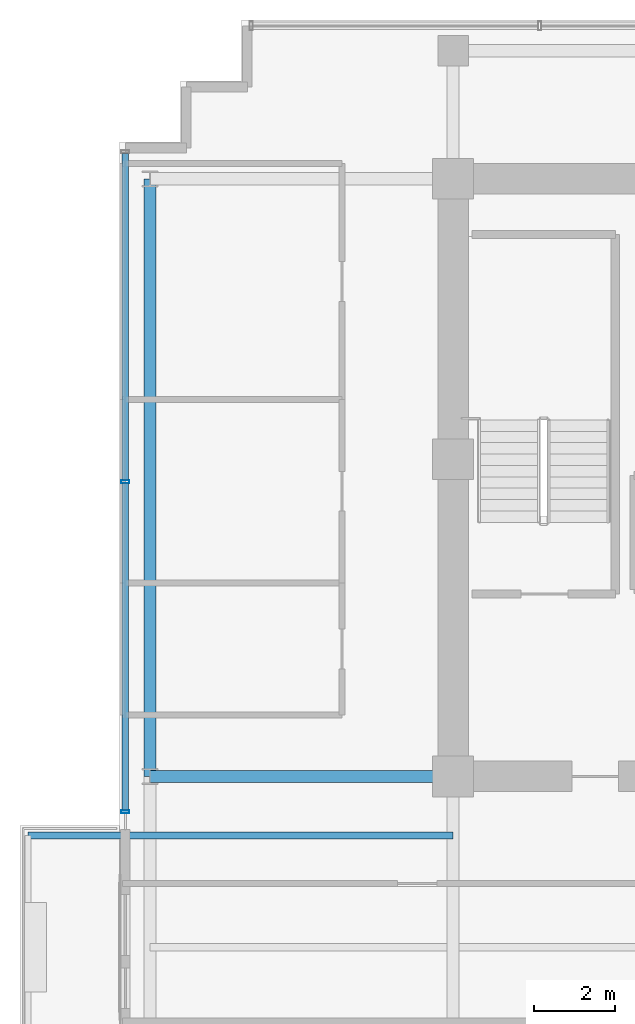
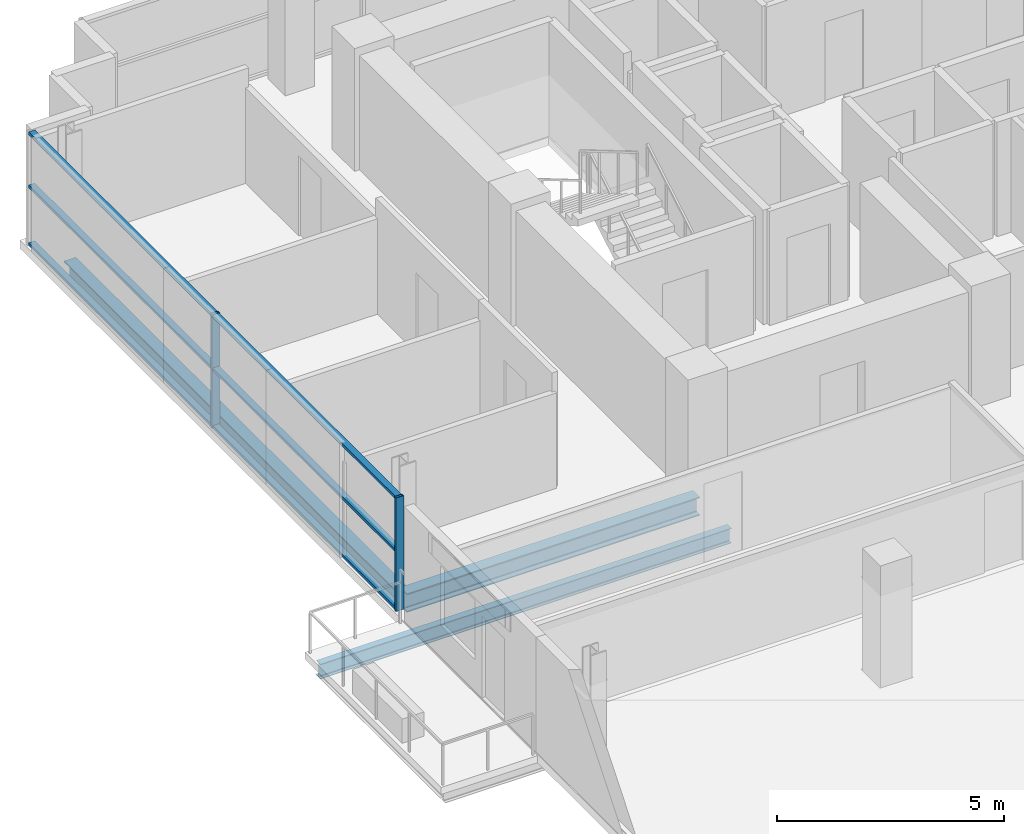
# One storey, part 5 of 22: 8 members, 3 beams, 1 element without a shape of its own.
"""IFC4 building model written with IfcOpenShell, lengths in metres."""

from ifc_helpers import new_model, si_unit, direction, frame, origin, origin_2d, place, context, subcontext, project, spatial, hollow_rectangle, i_section, extrude, source, transform, mapped, material, layer, layer_set, material_profile, profile_set, type_object, element, aggregate, save


model = new_model("IFC4")

# Units and contexts
model_context = context("Model", 3, precision=1e-05, world=origin(), true_north=direction((0.0, 1.0)))
body_context = subcontext(model_context, "Body", "Model", "MODEL_VIEW")
ifc_project = project(units=[si_unit("LENGTHUNIT", "METRE"), si_unit("AREAUNIT", "SQUARE_METRE"), si_unit("VOLUMEUNIT", "CUBIC_METRE"), si_unit("PLANEANGLEUNIT", "RADIAN"), si_unit("MASSUNIT", "GRAM", prefix="KILO")], contexts=[model_context])

# Site, building, storey
site_placement = place(None, origin())
site = spatial("IfcSite", under=ifc_project, at=site_placement, CompositionType="ELEMENT")
building_placement = place(site_placement, origin())
building = spatial("IfcBuilding", under=site, at=building_placement, Name="Zarnakvel Exchange Tower", CompositionType="ELEMENT")
storey_placement = place(building_placement, frame((0.0, 0.0, 192.39990234375)))
storey = spatial("IfcBuildingStorey", under=building, at=storey_placement, Name="L54", CompositionType="ELEMENT", Elevation=192.39990234375)

# Beams
ifc_material_1 = material(Name="Steel S355", Category="steel")
ifc_material_profile_1 = material_profile(ifc_material_1, i_section(OverallWidth=0.179931640625, OverallDepth=0.39990234375, WebThickness=0.008544921875, FlangeThickness=0.013427734375, FilletRadius=0.02099609375, at=origin_2d()))
ifc_profile_set_1 = profile_set([ifc_material_profile_1], Name="Steel S355")
beam_type_1 = type_object("IfcBeamType", Name="B-06", PredefinedType="JOIST", material=ifc_profile_set_1)
beam_1_placement = place(storey_placement, frame((-14.39990234375, -2.64990234375, -0.4248046875), z_axis=(-1.0, 0.0, 0.0), x_axis=(0.0, -1.0, 0.0)))
element("IfcBeam", 1, at=beam_1_placement, inside=storey, type_object=beam_type_1, Name="L54 Continuous West Loggia Beam N", PredefinedType="JOIST", context=body_context, shape_type="SweptSolid", body=[
    extrude(i_section(OverallWidth=0.179931640625, OverallDepth=0.39990234375, WebThickness=0.008544921875, FlangeThickness=0.013427734375, FilletRadius=0.02099609375, at=origin_2d()), origin(), (0.0, 0.0, 1.0), 10.4501953125),
])
ifc_material_profile_2 = material_profile(ifc_material_1, i_section(OverallWidth=0.300048828125, OverallDepth=0.5, WebThickness=0.014404296875, FlangeThickness=0.028076171875, FilletRadius=0.027099609375, at=origin_2d()))
ifc_profile_set_2 = profile_set([ifc_material_profile_2], Name="Steel S355")
beam_type_2 = type_object("IfcBeamType", Name="G-06", PredefinedType="BEAM", material=ifc_profile_set_2)
beam_2_placement = place(storey_placement, frame((-21.85009765625, -1.199951171875, -0.474853515625), z_axis=(1.0, 0.0, 0.0), x_axis=(0.0, 1.0, 0.0)))
element("IfcBeam", 2, at=beam_2_placement, inside=storey, type_object=beam_type_2, Name="L54 Tower E-W Frame Beam", PredefinedType="BEAM", context=body_context, shape_type="SweptSolid", body=[
    extrude(i_section(OverallWidth=0.300048828125, OverallDepth=0.5, WebThickness=0.014404296875, FlangeThickness=0.028076171875, FilletRadius=0.027099609375, at=origin_2d()), origin(), (0.0, 0.0, 1.0), 7.4501953125),
])
ifc_material_profile_3 = material_profile(ifc_material_1, i_section(OverallWidth=0.300048828125, OverallDepth=0.5, WebThickness=0.014404296875, FlangeThickness=0.028076171875, FilletRadius=0.027099609375, at=origin_2d()))
ifc_profile_set_3 = profile_set([ifc_material_profile_3], Name="Steel S355")
beam_type_3 = type_object("IfcBeamType", Name="SP-02", PredefinedType="SPANDREL", material=ifc_profile_set_3)
beam_3_placement = place(storey_placement, frame((-21.85009765625, -1.199951171875, -0.474853515625), z_axis=(0.0, 1.0, 0.0), x_axis=(-1.0, 0.0, 0.0)))
element("IfcBeam", 3, at=beam_3_placement, inside=storey, type_object=beam_type_3, Name="L54 Tower N-S Frame Beam", PredefinedType="SPANDREL", context=body_context, shape_type="SweptSolid", body=[
    extrude(i_section(OverallWidth=0.300048828125, OverallDepth=0.5, WebThickness=0.014404296875, FlangeThickness=0.028076171875, FilletRadius=0.027099609375, at=origin_2d()), origin(), (0.0, 0.0, 1.0), 14.699951171875),
])

# Curtain wall, members
ifc_material_2 = material(Name="Architectural Bronze Anodised Aluminium", Category="aluminium")
ifc_layer = layer(ifc_material_2, 0.199951171875)
ifc_layer_set = layer_set([ifc_layer], Name="Architectural Bronze Anodised Aluminium")
curtain_wall_type = type_object("IfcCurtainWallType", Name="CW-04", PredefinedType="NOTDEFINED", material=ifc_layer_set)
curtain_wall_placement = place(storey_placement, origin())
curtain_wall = element("IfcCurtainWall", 4, at=curtain_wall_placement, inside=storey, type_object=curtain_wall_type, Name="L54 Curtain Wall CW-L54-WN (CW-04)", PredefinedType="NOTDEFINED")
ifc_material_profile_4 = material_profile(ifc_material_2, hollow_rectangle(XDim=0.199951171875, YDim=0.074951171875, WallThickness=0.0048828125, at=origin_2d()))
ifc_profile_set_4 = profile_set([ifc_material_profile_4], Name="Architectural Bronze Anodised Aluminium")
member_type_1 = type_object("IfcMemberType", Name="CWM-04", PredefinedType="MULLION", material=ifc_profile_set_4)
shared_shape_1 = source(origin(), body_context, "Body", "SweptSolid", [
    extrude(hollow_rectangle(XDim=0.199951171875, YDim=0.074951171875, WallThickness=0.0048828125, at=origin_2d()), origin(), (0.0, 0.0, 1.0), 3.05517578125),
])
member_1_placement = place(storey_placement, frame((-22.4599609375, -2.0625, 0.0), z_axis=(0.0, 0.0, 1.0), x_axis=(-1.0, 0.0, 0.0)))
member_1 = element("IfcMember", 5, at=member_1_placement, type_object=member_type_1, Name="CW-04 mullion 1", PredefinedType="MULLION", context=body_context, shape_type="MappedRepresentation", body=[
    mapped(shared_shape_1, transform((0.0, 0.0, 0.0), x_axis=(1.0, 0.0, 0.0), y_axis=(0.0, 1.0, 0.0), z_axis=(0.0, 0.0, 1.0), scale=1.0)),
])
member_2_placement = place(storey_placement, frame((-22.4599609375, 6.050048828125, 0.0), z_axis=(0.0, 0.0, 1.0), x_axis=(-1.0, 0.0, 0.0)))
member_2 = element("IfcMember", 6, at=member_2_placement, type_object=member_type_1, Name="CW-04 mullion 2", PredefinedType="MULLION", context=body_context, shape_type="MappedRepresentation", body=[
    mapped(shared_shape_1, transform((0.0, 0.0, 0.0), x_axis=(1.0, 0.0, 0.0), y_axis=(0.0, 1.0, 0.0), z_axis=(0.0, 0.0, 1.0), scale=1.0)),
])
ifc_material_profile_5 = material_profile(ifc_material_2, hollow_rectangle(XDim=0.159912109375, YDim=0.074951171875, WallThickness=0.00390625, at=origin_2d()))
ifc_profile_set_5 = profile_set([ifc_material_profile_5], Name="Architectural Bronze Anodised Aluminium")
member_type_2 = type_object("IfcMemberType", Name="CWT-04", PredefinedType="USERDEFINED", material=ifc_profile_set_5)
shared_shape_2 = source(origin(), body_context, "Body", "SweptSolid", [
    extrude(hollow_rectangle(XDim=0.159912109375, YDim=0.074951171875, WallThickness=0.00390625, at=origin_2d()), origin(), (0.0, 0.0, 1.0), 8.037353515625),
])
member_3_placement = place(storey_placement, frame((-22.4599609375, -2.02490234375, 0.03759765625), z_axis=(0.0, 1.0, 0.0), x_axis=(-1.0, 0.0, 0.0)))
member_3 = element("IfcMember", 7, at=member_3_placement, type_object=member_type_2, Name="CW-04 transom 1.1", ObjectType="TRANSOM", PredefinedType="USERDEFINED", context=body_context, shape_type="MappedRepresentation", body=[
    mapped(shared_shape_2, transform((0.0, 0.0, 0.0), x_axis=(1.0, 0.0, 0.0), y_axis=(0.0, 1.0, 0.0), z_axis=(0.0, 0.0, 1.0), scale=1.0)),
])
member_4_placement = place(storey_placement, frame((-22.4599609375, -2.02490234375, 1.588623046875), z_axis=(0.0, 1.0, 0.0), x_axis=(-1.0, 0.0, 0.0)))
member_4 = element("IfcMember", 8, at=member_4_placement, type_object=member_type_2, Name="CW-04 transom 1.2", ObjectType="TRANSOM", PredefinedType="USERDEFINED", context=body_context, shape_type="MappedRepresentation", body=[
    mapped(shared_shape_2, transform((0.0, 0.0, 0.0), x_axis=(1.0, 0.0, 0.0), y_axis=(0.0, 1.0, 0.0), z_axis=(0.0, 0.0, 1.0), scale=1.0)),
])
member_5_placement = place(storey_placement, frame((-22.4599609375, -2.02490234375, 3.017578125), z_axis=(0.0, 1.0, 0.0), x_axis=(-1.0, 0.0, 0.0)))
member_5 = element("IfcMember", 9, at=member_5_placement, type_object=member_type_2, Name="CW-04 transom 1.3", ObjectType="TRANSOM", PredefinedType="USERDEFINED", context=body_context, shape_type="MappedRepresentation", body=[
    mapped(shared_shape_2, transform((0.0, 0.0, 0.0), x_axis=(1.0, 0.0, 0.0), y_axis=(0.0, 1.0, 0.0), z_axis=(0.0, 0.0, 1.0), scale=1.0)),
])
shared_shape_3 = source(origin(), body_context, "Body", "SweptSolid", [
    extrude(hollow_rectangle(XDim=0.159912109375, YDim=0.074951171875, WallThickness=0.00390625, at=origin_2d()), origin(), (0.0, 0.0, 1.0), 8.03759765625),
])
member_6_placement = place(storey_placement, frame((-22.4599609375, 6.08740234375, 0.03759765625), z_axis=(0.0, 1.0, 0.0), x_axis=(-1.0, 0.0, 0.0)))
member_6 = element("IfcMember", 10, at=member_6_placement, type_object=member_type_2, Name="CW-04 transom 2.1", ObjectType="TRANSOM", PredefinedType="USERDEFINED", context=body_context, shape_type="MappedRepresentation", body=[
    mapped(shared_shape_3, transform((0.0, 0.0, 0.0), x_axis=(1.0, 0.0, 0.0), y_axis=(0.0, 1.0, 0.0), z_axis=(0.0, 0.0, 1.0), scale=1.0)),
])
member_7_placement = place(storey_placement, frame((-22.4599609375, 6.08740234375, 1.588623046875), z_axis=(0.0, 1.0, 0.0), x_axis=(-1.0, 0.0, 0.0)))
member_7 = element("IfcMember", 11, at=member_7_placement, type_object=member_type_2, Name="CW-04 transom 2.2", ObjectType="TRANSOM", PredefinedType="USERDEFINED", context=body_context, shape_type="MappedRepresentation", body=[
    mapped(shared_shape_3, transform((0.0, 0.0, 0.0), x_axis=(1.0, 0.0, 0.0), y_axis=(0.0, 1.0, 0.0), z_axis=(0.0, 0.0, 1.0), scale=1.0)),
])
member_8_placement = place(storey_placement, frame((-22.4599609375, 6.08740234375, 3.017578125), z_axis=(0.0, 1.0, 0.0), x_axis=(-1.0, 0.0, 0.0)))
member_8 = element("IfcMember", 12, at=member_8_placement, type_object=member_type_2, Name="CW-04 transom 2.3", ObjectType="TRANSOM", PredefinedType="USERDEFINED", context=body_context, shape_type="MappedRepresentation", body=[
    mapped(shared_shape_3, transform((0.0, 0.0, 0.0), x_axis=(1.0, 0.0, 0.0), y_axis=(0.0, 1.0, 0.0), z_axis=(0.0, 0.0, 1.0), scale=1.0)),
])
aggregate(curtain_wall, [member_1, member_2, member_3, member_4, member_5, member_6, member_7, member_8])

save(model, "model.ifc")
